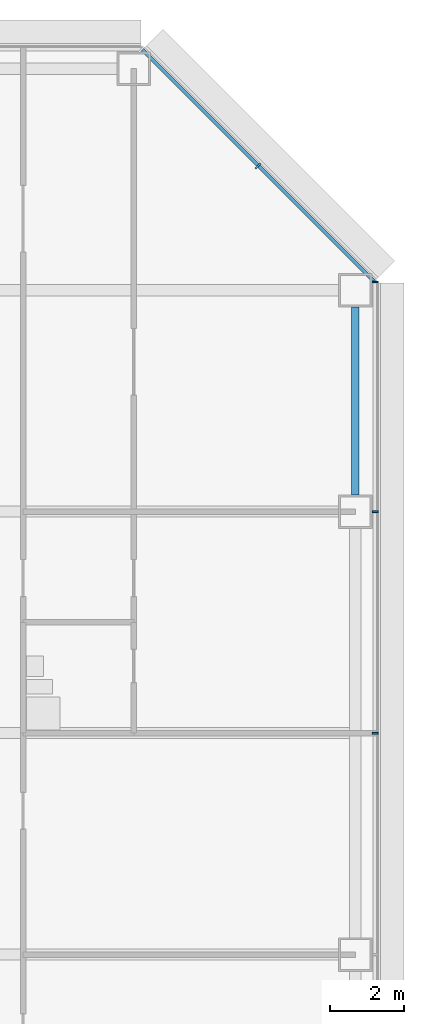
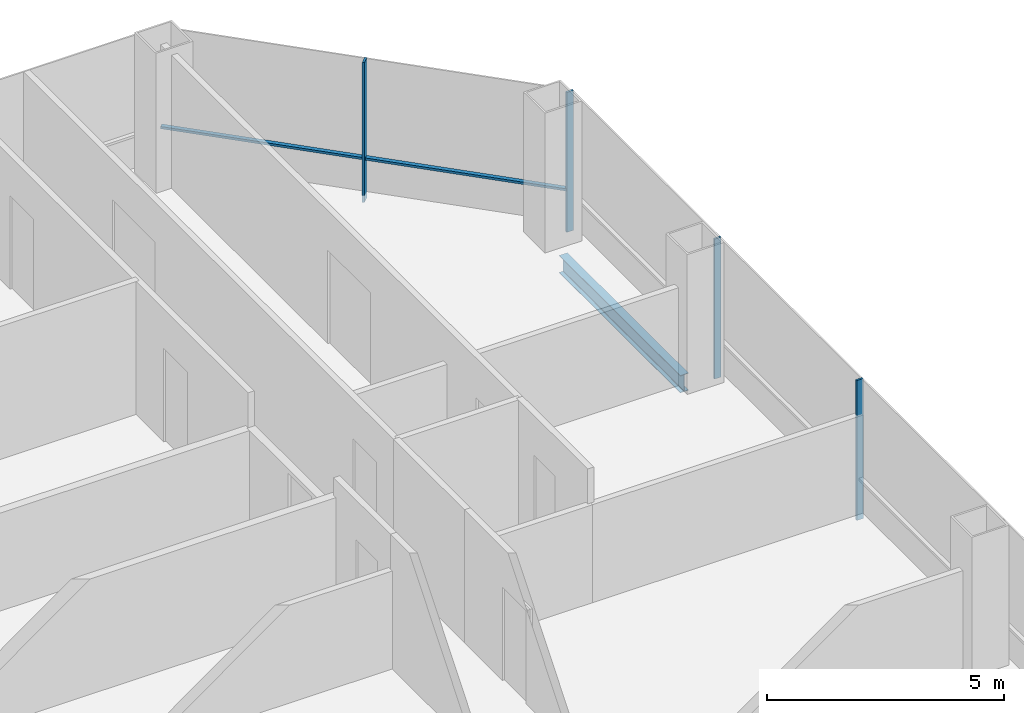
# One storey, part 18 of 27: 5 members, 1 beam, 2 elements without a shape of their own.
"""IFC4 building model written with IfcOpenShell, lengths in metres."""

from ifc_helpers import new_model, si_unit, direction, frame, origin, origin_2d, place, context, subcontext, project, spatial, rectangle, i_section, extrude, material, material_profile, profile_set, type_object, element, aggregate, save


model = new_model("IFC4")

# Units and contexts
model_context = context("Model", 3, precision=1e-05, world=origin(), true_north=direction((0.0, 1.0)))
body_context = subcontext(model_context, "Body", "Model", "MODEL_VIEW")
ifc_project = project(units=[si_unit("LENGTHUNIT", "METRE"), si_unit("AREAUNIT", "SQUARE_METRE"), si_unit("VOLUMEUNIT", "CUBIC_METRE"), si_unit("PLANEANGLEUNIT", "RADIAN"), si_unit("MASSUNIT", "GRAM", prefix="KILO")], contexts=[model_context])

# Site, building, storey
site_placement = place(None, origin())
site = spatial("IfcSite", under=ifc_project, at=site_placement, CompositionType="ELEMENT")
building_placement = place(site_placement, origin())
building = spatial("IfcBuilding", under=site, at=building_placement, Name="Sorahane Residences", CompositionType="ELEMENT")
storey_placement = place(building_placement, frame((0.0, 0.0, 75.0)))
storey = spatial("IfcBuildingStorey", under=building, at=storey_placement, Name="L15", CompositionType="ELEMENT", Elevation=75.0)

# Curtain wall, members
ifc_material_1 = material(Name="Dark low-e glass and black anodised aluminium", Category="aluminium")
curtain_wall_type_1 = type_object("IfcCurtainWallType", Name="Curtain wall CW-1 Typical unitised wall", PredefinedType="NOTDEFINED", material=ifc_material_1)
curtain_wall_1_placement = place(storey_placement, origin())
curtain_wall_1 = element("IfcCurtainWall", 1, at=curtain_wall_1_placement, inside=storey, type_object=curtain_wall_type_1, Name="CW-1 curtain wall L15 E1", PredefinedType="NOTDEFINED")
ifc_material_2 = material(Name="Black anodised aluminium", Category="aluminium")
ifc_material_profile_1 = material_profile(ifc_material_2, rectangle(XDim=0.159912109375, YDim=0.050048828125, at=origin_2d()), Name="Curtain wall mullion CW-1 black anodised aluminium 50x160")
ifc_profile_set_1 = profile_set([ifc_material_profile_1], Name="Black anodised aluminium")
member_type_1 = type_object("IfcMemberType", Name="Curtain wall mullion CW-1 black anodised aluminium 50x160", PredefinedType="MULLION", material=ifc_profile_set_1)
member_1_placement = place(storey_placement, frame((66.5400390625, 30.0, -0.179931640625), z_axis=(0.0, 0.0, 1.0), x_axis=(1.0, 0.0, 0.0)))
member_1 = element("IfcMember", 2, at=member_1_placement, type_object=member_type_1, Name="CW-1 mullion L15 E1.5", PredefinedType="MULLION", context=body_context, shape_type="SweptSolid", body=[
    extrude(rectangle(XDim=0.159912109375, YDim=0.050048828125, at=origin_2d()), origin(), (0.0, 0.0, 1.0), 3.599853515625),
])
member_2_placement = place(storey_placement, frame((66.5400390625, 36.0, -0.179931640625), z_axis=(0.0, 0.0, 1.0), x_axis=(1.0, 0.0, 0.0)))
member_2 = element("IfcMember", 3, at=member_2_placement, type_object=member_type_1, Name="CW-1 mullion L15 E1.6", PredefinedType="MULLION", context=body_context, shape_type="SweptSolid", body=[
    extrude(rectangle(XDim=0.159912109375, YDim=0.050048828125, at=origin_2d()), origin(), (0.0, 0.0, 1.0), 3.599853515625),
])
member_3_placement = place(storey_placement, frame((66.5400390625, 42.2236328125, -0.179931640625), z_axis=(0.0, 0.0, 1.0), x_axis=(1.0, 0.0, 0.0)))
member_3 = element("IfcMember", 4, at=member_3_placement, type_object=member_type_1, Name="CW-1 mullion L15 E1.7", PredefinedType="MULLION", context=body_context, shape_type="SweptSolid", body=[
    extrude(rectangle(XDim=0.159912109375, YDim=0.050048828125, at=origin_2d()), origin(), (0.0, 0.0, 1.0), 3.599853515625),
])
aggregate(curtain_wall_1, [member_1, member_2, member_3])

ifc_material_3 = material(Name="Dark low-e glass and black anodised aluminium", Category="aluminium")
curtain_wall_type_2 = type_object("IfcCurtainWallType", Name="Curtain wall CW-2 Chamfer unitised wall", PredefinedType="NOTDEFINED", material=ifc_material_3)
curtain_wall_2_placement = place(storey_placement, origin())
curtain_wall_2 = element("IfcCurtainWall", 5, at=curtain_wall_2_placement, inside=storey, type_object=curtain_wall_type_2, Name="CW-2 curtain wall L15 NE1", PredefinedType="NOTDEFINED")
ifc_material_4 = material(Name="Black anodised aluminium", Category="aluminium")
ifc_material_profile_2 = material_profile(ifc_material_4, rectangle(XDim=0.199951171875, YDim=0.050048828125, at=origin_2d()), Name="Curtain wall mullion CW-2 black anodised aluminium 50x200")
ifc_profile_set_2 = profile_set([ifc_material_profile_2], Name="Black anodised aluminium")
member_type_2 = type_object("IfcMemberType", Name="Curtain wall mullion CW-2 black anodised aluminium 50x200", PredefinedType="MULLION", material=ifc_profile_set_2)
member_4_placement = place(storey_placement, frame((63.36767578125, 45.36767578125, -0.179931640625), z_axis=(0.0, 0.0, 1.0), x_axis=(0.707106781187, 0.707106781187, 0.0)))
member_4 = element("IfcMember", 6, at=member_4_placement, type_object=member_type_2, Name="CW-2 mullion L15 NE1.2", PredefinedType="MULLION", context=body_context, shape_type="SweptSolid", body=[
    extrude(rectangle(XDim=0.199951171875, YDim=0.050048828125, at=origin_2d()), origin(), (0.0, 0.0, 1.0), 3.599853515625),
])
ifc_material_5 = material(Name="Black anodised aluminium", Category="aluminium")
ifc_material_profile_3 = material_profile(ifc_material_5, rectangle(XDim=0.10009765625, YDim=0.06005859375, at=origin_2d()), Name="Curtain wall transom CW-2 black anodised aluminium 60x100")
ifc_profile_set_3 = profile_set([ifc_material_profile_3], Name="Black anodised aluminium")
member_type_3 = type_object("IfcMemberType", Name="Curtain wall transom CW-2 black anodised aluminium 60x100", PredefinedType="USERDEFINED", material=ifc_profile_set_3)
member_5_placement = place(storey_placement, frame((66.51513671875, 42.234375, 0.89990234375), z_axis=(-0.707106781187, 0.707106781187, 0.0), x_axis=(-0.707106781187, -0.707106781187, 0.0)))
member_5 = element("IfcMember", 7, at=member_5_placement, type_object=member_type_3, Name="CW-2 transom L15 NE1", ObjectType="TRANSOM", PredefinedType="USERDEFINED", context=body_context, shape_type="SweptSolid", body=[
    extrude(rectangle(XDim=0.10009765625, YDim=0.06005859375, at=origin_2d()), origin(), (0.0, 0.0, 1.0), 8.88232421875),
])
aggregate(curtain_wall_2, [member_4, member_5])

# Beam
ifc_material_6 = material(Name="Steel Q355B", Category="steel")
ifc_material_profile_4 = material_profile(ifc_material_6, i_section(OverallWidth=0.199951171875, OverallDepth=0.449951171875, WebThickness=0.009033203125, FlangeThickness=0.013916015625, FilletRadius=0.02001953125, at=origin_2d()), Name="HN 450x200x9x14")
ifc_profile_set_4 = profile_set([ifc_material_profile_4], Name="Steel Q355B")
beam_type = type_object("IfcBeamType", Name="Steel floor beam HN 450x200x9x14 Q355B", PredefinedType="BEAM", material=ifc_profile_set_4)
beam_placement = place(storey_placement, frame((66.0, 36.449951171875, -0.405029296875), z_axis=(0.0, 1.0, 0.0), x_axis=(-1.0, 0.0, 0.0)))
element("IfcBeam", 8, at=beam_placement, inside=storey, type_object=beam_type, Name="Beam L15 060", PredefinedType="BEAM", context=body_context, shape_type="SweptSolid", body=[
    extrude(i_section(OverallWidth=0.199951171875, OverallDepth=0.449951171875, WebThickness=0.009033203125, FlangeThickness=0.013916015625, FilletRadius=0.02001953125, at=origin_2d()), origin(), (0.0, 0.0, 1.0), 5.10009765625),
])

save(model, "model.ifc")
